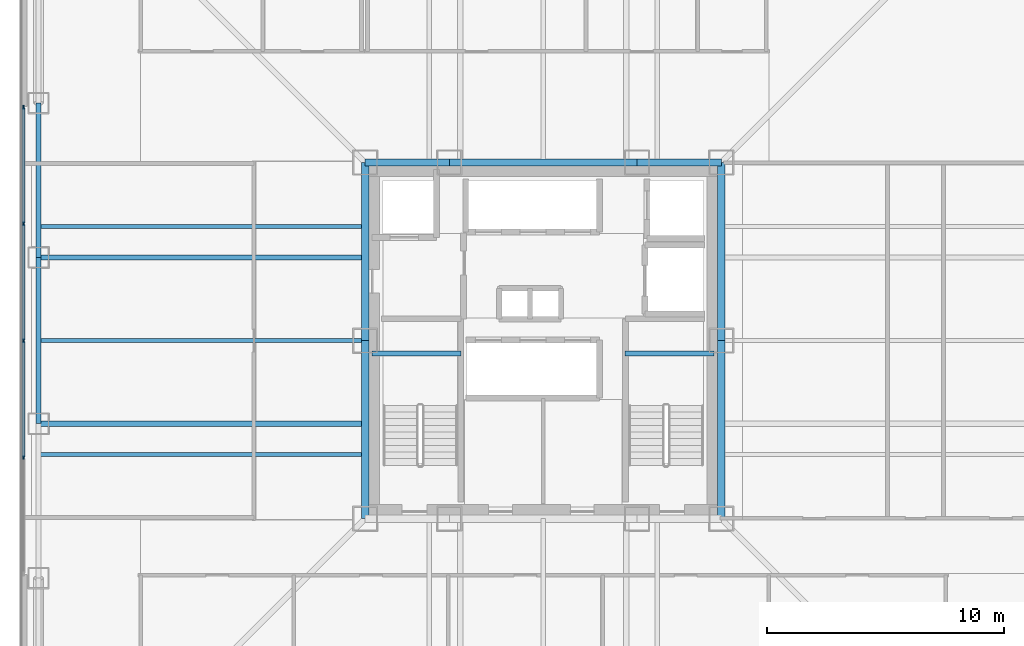
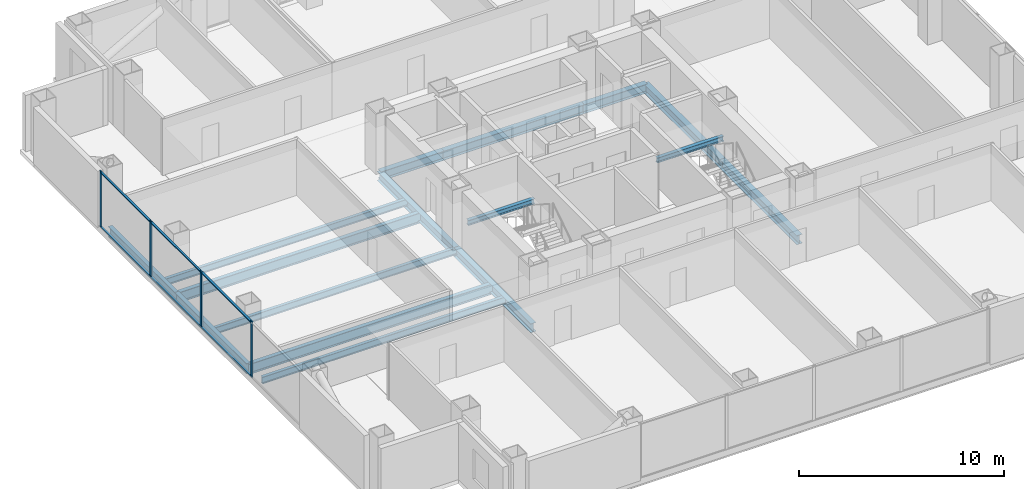
# One storey, part 4 of 13: 16 beams, 10 members, 1 element without a shape of its own.
"""IFC4 building model written with IfcOpenShell, lengths in metres."""

import ifcopenshell
import ifcopenshell.guid

model = None  # the IFC model being written
_history = None  # IfcOwnerHistory: only IFC2X3 demands one
_inside = {}  # id of a spatial element -> (the spatial element, [elements in it])
_under = {}  # id of a project, library or spatial element -> (it, [spatial elements below it])
_declared = {}  # id of a project -> (the project, [libraries it declares])
_typed = {}  # id of a type object -> (the type object, [elements of that type])
_made_of = {}  # id of a material, layer set ... -> (it, [elements and type objects made of it])


def new_model(schema):
    """Start an empty IFC model of exactly this schema.

    Asked for "IFC4X3", IfcOpenShell would pick the latest addendum, in which some entities
    have other attributes; the version numbers below select the first issue.
    IFC2X3 requires an IfcOwnerHistory on every rooted entity: one is made here for all.
    """
    global model, _history
    if schema == "IFC4X3":
        model = ifcopenshell.file(schema_version=(4, 3, 0, 0))
    else:
        model = ifcopenshell.file(schema=schema)
    _inside.clear()
    _under.clear()
    _declared.clear()
    _typed.clear()
    _made_of.clear()
    _history = None
    if model.schema == "IFC2X3":
        org = make("IfcOrganization", Name="unknown")
        user = make(
            "IfcPersonAndOrganization",
            ThePerson=make("IfcPerson", FamilyName="unknown"),
            TheOrganization=org,
        )
        app = make(
            "IfcApplication",
            ApplicationDeveloper=org,
            Version="unknown",
            ApplicationFullName="unknown",
            ApplicationIdentifier="unknown",
        )
        _history = make(
            "IfcOwnerHistory",
            OwningUser=user,
            OwningApplication=app,
            ChangeAction="ADDED",
            CreationDate=0,
        )
    return model


def make(cls, **values):
    """One entity of the class cls with the attributes given. An attribute that is None is left unset."""
    return model.create_entity(
        cls, **{name: value for name, value in values.items() if value is not None}
    )


def rooted(cls, **values):
    """An entity with a GlobalId (a new one), such as an element, a storey or a relation."""
    return make(cls, GlobalId=ifcopenshell.guid.new(), OwnerHistory=_history, **values)


def si_unit(unit_type, name, prefix=None):
    """IfcSIUnit, for example si_unit("LENGTHUNIT", "METRE", prefix="MILLI")."""
    return make("IfcSIUnit", UnitType=unit_type, Prefix=prefix, Name=name)


def assignment(units):
    """IfcUnitAssignment: the units of a project."""
    return None if units is None else make("IfcUnitAssignment", Units=units)


def point(xyz):
    """IfcCartesianPoint."""
    return None if xyz is None else make("IfcCartesianPoint", Coordinates=xyz)


def direction(xyz):
    """IfcDirection."""
    return None if xyz is None else make("IfcDirection", DirectionRatios=xyz)


def frame(location, z_axis=None, x_axis=None):
    """IfcAxis2Placement3D, a coordinate frame: its origin and axes. An axis left out is left unset."""
    return make(
        "IfcAxis2Placement3D",
        Location=point(location),
        Axis=direction(z_axis),
        RefDirection=direction(x_axis),
    )


def frame_2d(location, x_axis=None):
    """IfcAxis2Placement2D, a coordinate frame in the plane: its origin and x axis."""
    return make(
        "IfcAxis2Placement2D", Location=point(location), RefDirection=direction(x_axis)
    )


def origin():
    """The frame at (0, 0, 0) with its axes left unset."""
    return frame((0.0, 0.0, 0.0))


def origin_2d():
    """The frame at (0, 0) in the plane with its x axis left unset."""
    return frame_2d((0.0, 0.0))


def place(relative_to, where):
    """IfcLocalPlacement: puts the frame where relative to a parent placement (None: the world)."""
    return make(
        "IfcLocalPlacement", PlacementRelTo=relative_to, RelativePlacement=where
    )


def context(
    kind, dimensions, precision=None, world=None, true_north=None, identifier=None
):
    """IfcGeometricRepresentationContext, for example the 3D "Model" context."""
    return make(
        "IfcGeometricRepresentationContext",
        ContextIdentifier=identifier,
        ContextType=kind,
        CoordinateSpaceDimension=dimensions,
        Precision=precision,
        WorldCoordinateSystem=world,
        TrueNorth=true_north,
    )


def subcontext(parent, identifier, kind, view, scale=None):
    """IfcGeometricRepresentationSubContext, for example "Body" below "Model"."""
    return make(
        "IfcGeometricRepresentationSubContext",
        ContextIdentifier=identifier,
        ContextType=kind,
        ParentContext=parent,
        TargetScale=scale,
        TargetView=view,
    )


def project(units=None, contexts=None):
    """IfcProject with its units and contexts."""
    return rooted(
        "IfcProject",
        Name="project",
        RepresentationContexts=contexts,
        UnitsInContext=assignment(units),
    )


def spatial(cls, under=None, at=None, **own):
    """A site, building, storey or space (cls), placed at a placement, below another one or the project."""
    s = rooted(cls, ObjectPlacement=at, **own)
    if under is not None:
        _under.setdefault(under.id(), (under, []))[1].append(s)
    return s


def profile(cls, at=None, kind="AREA", **sizes):
    """A parametric profile (cls). Its sizes go by their IFC names, for example OverallWidth=200.0."""
    return make(cls, ProfileType=kind, Position=at, **sizes)


def rectangle(**sizes):
    """IfcRectangleProfileDef."""
    return profile("IfcRectangleProfileDef", **sizes)


def i_section(**sizes):
    """IfcIShapeProfileDef."""
    return profile("IfcIShapeProfileDef", **sizes)


def extrude(swept, where, along, depth):
    """IfcExtrudedAreaSolid: the profile swept, set in the frame where, extruded along a direction by depth."""
    return make(
        "IfcExtrudedAreaSolid",
        SweptArea=swept,
        Position=where,
        ExtrudedDirection=direction(along),
        Depth=depth,
    )


def shape(context_of_items, identifier, shape_type, items):
    """IfcShapeRepresentation: the items that make up one representation, for example the "Body"."""
    return make(
        "IfcShapeRepresentation",
        ContextOfItems=context_of_items,
        RepresentationIdentifier=identifier,
        RepresentationType=shape_type,
        Items=items,
    )


def material(Name=None, Category=None):
    """IfcMaterial."""
    return make("IfcMaterial", Name=Name, Category=Category)


def layer(
    of_material, thickness, ventilated=None, Name=None, Category=None, Priority=None
):
    """IfcMaterialLayer: one layer of a wall or slab, of a material (None: an air gap)."""
    return make(
        "IfcMaterialLayer",
        Material=of_material,
        LayerThickness=thickness,
        IsVentilated=ventilated,
        Name=Name,
        Category=Category,
        Priority=Priority,
    )


def layer_set(layers, Name=None):
    """IfcMaterialLayerSet."""
    return make("IfcMaterialLayerSet", MaterialLayers=layers, LayerSetName=Name)


def material_profile(
    of_material, cross_section, Name=None, Category=None, Priority=None
):
    """IfcMaterialProfile: a cross section and its material."""
    return make(
        "IfcMaterialProfile",
        Name=Name,
        Material=of_material,
        Profile=cross_section,
        Priority=Priority,
        Category=Category,
    )


def profile_set(profiles, Name=None, composite=None):
    """IfcMaterialProfileSet."""
    return make(
        "IfcMaterialProfileSet",
        Name=Name,
        MaterialProfiles=profiles,
        CompositeProfile=composite,
    )


def made_of(thing, what):
    """Note that an element or type object is made of a material, layer set ...; save() writes the relation."""
    if what is not None:
        _made_of.setdefault(what.id(), (what, []))[1].append(thing)
    return thing


def type_object(cls, material=None, **own):
    """A type object (cls), such as IfcWallType, which elements share."""
    return made_of(rooted(cls, **own), material)


def element(
    cls,
    number,
    at=None,
    inside=None,
    cuts=None,
    type_object=None,
    material=None,
    context=None,
    identifier="Body",
    shape_type=None,
    held_by="IfcProductDefinitionShape",
    body=None,
    shapes=None,
    **own,
):
    """One element of the class cls, such as IfcWall. Its Tag is "e" and its number.

    at: its placement. inside: the storey or other place that contains it. cuts: it is an
    opening in that element (IfcRelVoidsElement). A single representation is given by context,
    identifier, shape_type and body (its items); several are given by shapes. held_by: the class
    of the entity that holds the representations. save() writes the other relations.
    """
    e = rooted(cls, Tag="e%d" % number, ObjectPlacement=at, **own)
    if body is not None:
        shapes = [shape(context, identifier, shape_type, body)]
    if shapes is not None:
        e.Representation = make(held_by, Representations=shapes)
    if inside is not None:
        _inside.setdefault(inside.id(), (inside, []))[1].append(e)
    if cuts is not None:
        rooted(
            "IfcRelVoidsElement", RelatingBuildingElement=cuts, RelatedOpeningElement=e
        )
    if type_object is not None:
        _typed.setdefault(type_object.id(), (type_object, []))[1].append(e)
    return made_of(e, material)


def aggregate(whole, parts):
    """IfcRelAggregates: a whole, such as a stair, and the parts it consists of."""
    return rooted("IfcRelAggregates", RelatingObject=whole, RelatedObjects=parts)


def save(model, path):
    """Write the relations noted so far, then the file.

    IfcRelAggregates (storeys below a building ...), IfcRelContainedInSpatialStructure (elements
    in a storey), IfcRelDefinesByType, IfcRelAssociatesMaterial and IfcRelDeclares: one each for
    every whole, place, type object, material and project.
    """
    for whole, parts in _under.values():
        aggregate(whole, parts)
    for where, things in _inside.values():
        rooted(
            "IfcRelContainedInSpatialStructure",
            RelatedElements=things,
            RelatingStructure=where,
        )
    for kind, things in _typed.values():
        rooted("IfcRelDefinesByType", RelatedObjects=things, RelatingType=kind)
    for what, things in _made_of.values():
        rooted("IfcRelAssociatesMaterial", RelatedObjects=things, RelatingMaterial=what)
    for by, libraries in _declared.values():
        rooted("IfcRelDeclares", RelatingContext=by, RelatedDefinitions=libraries)
    model.write(path)


model = new_model("IFC4")

# Units and contexts
model_context = context("Model", 3, precision=1e-05, world=origin(), true_north=direction((0.0, 1.0)))
body_context = subcontext(model_context, "Body", "Model", "MODEL_VIEW")
ifc_project = project(units=[si_unit("LENGTHUNIT", "METRE"), si_unit("AREAUNIT", "SQUARE_METRE"), si_unit("VOLUMEUNIT", "CUBIC_METRE"), si_unit("PLANEANGLEUNIT", "RADIAN"), si_unit("MASSUNIT", "GRAM", prefix="KILO")], contexts=[model_context])

# Site, building, storey
site_placement = place(None, origin())
site = spatial("IfcSite", under=ifc_project, at=site_placement, CompositionType="ELEMENT")
building_placement = place(site_placement, origin())
building = spatial("IfcBuilding", under=site, at=building_placement, Name="Trevonay Congress Spire", CompositionType="ELEMENT")
storey_placement = place(building_placement, frame((0.0, 0.0, 112.0)))
storey = spatial("IfcBuildingStorey", under=building, at=storey_placement, Name="L28", CompositionType="ELEMENT", Elevation=112.0)

# Beams
ifc_material_1 = material(Name="Steel ASTM A572 Grade 50", Category="steel")
ifc_material_profile_1 = material_profile(ifc_material_1, i_section(OverallWidth=0.31201171875, OverallDepth=0.54296875, WebThickness=0.0126953125, FlangeThickness=0.020263671875, FilletRadius=0.014892578125, at=origin_2d()), Name="W530x150")
ifc_profile_set_1 = profile_set([ifc_material_profile_1], Name="Steel ASTM A572 Grade 50")
beam_type_1 = type_object("IfcBeamType", Name="BM-GIRD-W530X150", PredefinedType="BEAM", material=ifc_profile_set_1)
beam_1_placement = place(storey_placement, frame((-7.5, 7.5, -0.511474609375), z_axis=(1.0, 0.0, 0.0), x_axis=(0.0, 1.0, 0.0)))
element("IfcBeam", 1, at=beam_1_placement, inside=storey, type_object=beam_type_1, Name="L28 structural beam BM-L28-CR-N1", PredefinedType="BEAM", context=body_context, shape_type="SweptSolid", body=[
    extrude(i_section(OverallWidth=0.31201171875, OverallDepth=0.54296875, WebThickness=0.0126953125, FlangeThickness=0.020263671875, FilletRadius=0.014892578125, at=origin_2d()), origin(), (0.0, 0.0, 1.0), 3.550048828125),
])
beam_2_placement = place(storey_placement, frame((-3.949951171875, 7.5, -0.511474609375), z_axis=(1.0, 0.0, 0.0), x_axis=(0.0, 1.0, 0.0)))
element("IfcBeam", 2, at=beam_2_placement, inside=storey, type_object=beam_type_1, Name="L28 structural beam BM-L28-CR-N2", PredefinedType="BEAM", context=body_context, shape_type="SweptSolid", body=[
    extrude(i_section(OverallWidth=0.31201171875, OverallDepth=0.54296875, WebThickness=0.0126953125, FlangeThickness=0.020263671875, FilletRadius=0.014892578125, at=origin_2d()), origin(), (0.0, 0.0, 1.0), 7.89990234375),
])
beam_3_placement = place(storey_placement, frame((3.949951171875, 7.5, -0.511474609375), z_axis=(1.0, 0.0, 0.0), x_axis=(0.0, 1.0, 0.0)))
element("IfcBeam", 3, at=beam_3_placement, inside=storey, type_object=beam_type_1, Name="L28 structural beam BM-L28-CR-N3", PredefinedType="BEAM", context=body_context, shape_type="SweptSolid", body=[
    extrude(i_section(OverallWidth=0.31201171875, OverallDepth=0.54296875, WebThickness=0.0126953125, FlangeThickness=0.020263671875, FilletRadius=0.014892578125, at=origin_2d()), origin(), (0.0, 0.0, 1.0), 3.550048828125),
])
for number, where, z_axis, x_axis, name in (
    (4, (-7.5, -7.5, -0.511474609375), (0.0, 1.0, 0.0), (-1.0, 0.0, 0.0), "L28 structural beam BM-L28-CR-W1"),
    (5, (-7.5, 0.0, -0.511474609375), (0.0, 1.0, 0.0), (-1.0, 0.0, 0.0), "L28 structural beam BM-L28-CR-W2"),
    (6, (7.5, -7.5, -0.511474609375), (0.0, 1.0, 0.0), (-1.0, 0.0, 0.0), "L28 structural beam BM-L28-CR-E1"),
    (7, (7.5, 0.0, -0.511474609375), (0.0, 1.0, 0.0), (-1.0, 0.0, 0.0), "L28 structural beam BM-L28-CR-E2"),
):
    element("IfcBeam", number, at=place(storey_placement, frame(where, z_axis=z_axis, x_axis=x_axis)), inside=storey, type_object=beam_type_1, Name=name, PredefinedType="BEAM", context=body_context, shape_type="SweptSolid", body=[
        extrude(i_section(OverallWidth=0.31201171875, OverallDepth=0.54296875, WebThickness=0.0126953125, FlangeThickness=0.020263671875, FilletRadius=0.014892578125, at=origin_2d()), origin(), (0.0, 0.0, 1.0), 7.5),
    ])
ifc_material_profile_2 = material_profile(ifc_material_1, i_section(OverallWidth=0.22998046875, OverallDepth=0.616943359375, WebThickness=0.01318359375, FlangeThickness=0.022216796875, FilletRadius=0.01611328125, at=origin_2d()), Name="W610x140")
ifc_profile_set_2 = profile_set([ifc_material_profile_2], Name="Steel ASTM A572 Grade 50")
beam_type_2 = type_object("IfcBeamType", Name="BM-GIRD-W610X140", PredefinedType="BEAM", material=ifc_profile_set_2)
for number, where, z_axis, x_axis, name in (
    (8, (-7.5, -3.5, -0.548583984375), (-1.0, 0.0, 0.0), (0.0, -1.0, 0.0), "L28 structural beam BM-L28-GW-M"),
    (9, (-7.5, 3.5, -0.548583984375), (-1.0, 0.0, 0.0), (0.0, -1.0, 0.0), "L28 structural beam BM-L28-GW-P"),
):
    element("IfcBeam", number, at=place(storey_placement, frame(where, z_axis=z_axis, x_axis=x_axis)), inside=storey, type_object=beam_type_2, Name=name, PredefinedType="BEAM", context=body_context, shape_type="SweptSolid", body=[
        extrude(i_section(OverallWidth=0.22998046875, OverallDepth=0.616943359375, WebThickness=0.01318359375, FlangeThickness=0.022216796875, FilletRadius=0.01611328125, at=origin_2d()), origin(), (0.0, 0.0, 1.0), 13.75),
    ])
ifc_material_profile_3 = material_profile(ifc_material_1, i_section(OverallWidth=0.22802734375, OverallDepth=0.60791015625, WebThickness=0.01123046875, FlangeThickness=0.017333984375, FilletRadius=0.01611328125, at=origin_2d()), Name="W610x113")
ifc_profile_set_3 = profile_set([ifc_material_profile_3], Name="Steel ASTM A572 Grade 50")
beam_type_3 = type_object("IfcBeamType", Name="BM-RING-W610X113", PredefinedType="BEAM", material=ifc_profile_set_3)
beam_4_placement = place(storey_placement, frame((-21.25, -3.5, -0.5439453125), z_axis=(0.0, 1.0, 0.0), x_axis=(-1.0, 0.0, 0.0)))
element("IfcBeam", 10, at=beam_4_placement, inside=storey, type_object=beam_type_3, Name="L28 structural beam BM-L28-PW3", PredefinedType="BEAM", context=body_context, shape_type="SweptSolid", body=[
    extrude(i_section(OverallWidth=0.22802734375, OverallDepth=0.60791015625, WebThickness=0.01123046875, FlangeThickness=0.017333984375, FilletRadius=0.01611328125, at=origin_2d()), origin(), (0.0, 0.0, 1.0), 7.0),
])
beam_5_placement = place(storey_placement, frame((-21.25, 3.5, -0.5439453125), z_axis=(0.0, 1.0, 0.0), x_axis=(-1.0, 0.0, 0.0)))
element("IfcBeam", 11, at=beam_5_placement, inside=storey, type_object=beam_type_3, Name="L28 structural beam BM-L28-PW4", PredefinedType="BEAM", context=body_context, shape_type="SweptSolid", body=[
    extrude(i_section(OverallWidth=0.22802734375, OverallDepth=0.60791015625, WebThickness=0.01123046875, FlangeThickness=0.017333984375, FilletRadius=0.01611328125, at=origin_2d()), origin(), (0.0, 0.0, 1.0), 6.5),
])

# Curtain wall, members
ifc_material_2 = material(Name="Pale Anodised Aluminium EN AW-6063-T6", Category="aluminium")
ifc_layer = layer(ifc_material_2, 0.175048828125, Name="Pale Anodised Aluminium EN AW-6063-T6")
ifc_layer_set = layer_set([ifc_layer], Name="Pale Anodised Aluminium EN AW-6063-T6")
curtain_wall_type = type_object("IfcCurtainWallType", Name="CW-SYS03-CONGRESS-PALE-METAL", PredefinedType="NOTDEFINED", material=ifc_layer_set)
curtain_wall_placement = place(storey_placement, origin())
curtain_wall = element("IfcCurtainWall", 12, at=curtain_wall_placement, inside=storey, type_object=curtain_wall_type, Name="L28 W unitised curtain wall", PredefinedType="NOTDEFINED")
ifc_material_profile_4 = material_profile(ifc_material_2, rectangle(XDim=0.06005859375, YDim=0.159912109375, at=origin_2d()), Name="CW-MULLION-160-ALUMINIUM")
ifc_profile_set_4 = profile_set([ifc_material_profile_4], Name="Pale Anodised Aluminium EN AW-6063-T6")
member_type_1 = type_object("IfcMemberType", Name="CW-MULLION-160-ALUMINIUM", PredefinedType="MULLION", material=ifc_profile_set_4)
member_1_placement = place(storey_placement, frame((-21.8798828125, -4.925048828125, 0.0), z_axis=(0.0, 0.0, 1.0), x_axis=(-1.0, 0.0, 0.0)))
member_1 = element("IfcMember", 13, at=member_1_placement, type_object=member_type_1, Name="CW03 mullion 2", PredefinedType="MULLION", context=body_context, shape_type="SweptSolid", body=[
    extrude(rectangle(XDim=0.06005859375, YDim=0.159912109375, at=origin_2d()), origin(), (0.0, 0.0, 1.0), 3.360107421875),
])
member_2_placement = place(storey_placement, frame((-21.8798828125, 0.0, 0.0), z_axis=(0.0, 0.0, 1.0), x_axis=(-1.0, 0.0, 0.0)))
member_2 = element("IfcMember", 14, at=member_2_placement, type_object=member_type_1, Name="CW03 mullion 3", PredefinedType="MULLION", context=body_context, shape_type="SweptSolid", body=[
    extrude(rectangle(XDim=0.06005859375, YDim=0.159912109375, at=origin_2d()), origin(), (0.0, 0.0, 1.0), 3.360107421875),
])
member_3_placement = place(storey_placement, frame((-21.8798828125, 4.925048828125, 0.0), z_axis=(0.0, 0.0, 1.0), x_axis=(-1.0, 0.0, 0.0)))
member_3 = element("IfcMember", 15, at=member_3_placement, type_object=member_type_1, Name="CW03 mullion 4", PredefinedType="MULLION", context=body_context, shape_type="SweptSolid", body=[
    extrude(rectangle(XDim=0.06005859375, YDim=0.159912109375, at=origin_2d()), origin(), (0.0, 0.0, 1.0), 3.360107421875),
])
member_4_placement = place(storey_placement, frame((-21.8798828125, 9.820068359375, 0.0), z_axis=(0.0, 0.0, 1.0), x_axis=(-1.0, 0.0, 0.0)))
member_4 = element("IfcMember", 16, at=member_4_placement, type_object=member_type_1, Name="CW03 mullion 5", PredefinedType="MULLION", context=body_context, shape_type="SweptSolid", body=[
    extrude(rectangle(XDim=0.06005859375, YDim=0.159912109375, at=origin_2d()), origin(), (0.0, 0.0, 1.0), 3.360107421875),
])
ifc_material_profile_5 = material_profile(ifc_material_2, rectangle(XDim=0.1201171875, YDim=0.06005859375, at=origin_2d()), Name="CW-TRANSOM-120-ALUMINIUM")
ifc_profile_set_5 = profile_set([ifc_material_profile_5], Name="Pale Anodised Aluminium EN AW-6063-T6")
member_type_2 = type_object("IfcMemberType", Name="CW-TRANSOM-120-ALUMINIUM", PredefinedType="USERDEFINED", material=ifc_profile_set_5)
member_5_placement = place(storey_placement, frame((-21.8798828125, -4.89501953125, 0.06005859375), z_axis=(0.0, 1.0, 0.0), x_axis=(-1.0, 0.0, 0.0)))
member_5 = element("IfcMember", 17, at=member_5_placement, type_object=member_type_2, Name="CW03 transom 2.1", ObjectType="TRANSOM", PredefinedType="USERDEFINED", context=body_context, shape_type="SweptSolid", body=[
    extrude(rectangle(XDim=0.1201171875, YDim=0.06005859375, at=origin_2d()), origin(), (0.0, 0.0, 1.0), 4.864990234375),
])
member_6_placement = place(storey_placement, frame((-21.8798828125, -4.89501953125, 3.300048828125), z_axis=(0.0, 1.0, 0.0), x_axis=(-1.0, 0.0, 0.0)))
member_6 = element("IfcMember", 18, at=member_6_placement, type_object=member_type_2, Name="CW03 transom 2.2", ObjectType="TRANSOM", PredefinedType="USERDEFINED", context=body_context, shape_type="SweptSolid", body=[
    extrude(rectangle(XDim=0.1201171875, YDim=0.06005859375, at=origin_2d()), origin(), (0.0, 0.0, 1.0), 4.864990234375),
])
member_7_placement = place(storey_placement, frame((-21.8798828125, 0.030029296875, 0.06005859375), z_axis=(0.0, 1.0, 0.0), x_axis=(-1.0, 0.0, 0.0)))
member_7 = element("IfcMember", 19, at=member_7_placement, type_object=member_type_2, Name="CW03 transom 3.1", ObjectType="TRANSOM", PredefinedType="USERDEFINED", context=body_context, shape_type="SweptSolid", body=[
    extrude(rectangle(XDim=0.1201171875, YDim=0.06005859375, at=origin_2d()), origin(), (0.0, 0.0, 1.0), 4.864990234375),
])
member_8_placement = place(storey_placement, frame((-21.8798828125, 0.030029296875, 3.300048828125), z_axis=(0.0, 1.0, 0.0), x_axis=(-1.0, 0.0, 0.0)))
member_8 = element("IfcMember", 20, at=member_8_placement, type_object=member_type_2, Name="CW03 transom 3.2", ObjectType="TRANSOM", PredefinedType="USERDEFINED", context=body_context, shape_type="SweptSolid", body=[
    extrude(rectangle(XDim=0.1201171875, YDim=0.06005859375, at=origin_2d()), origin(), (0.0, 0.0, 1.0), 4.864990234375),
])
member_9_placement = place(storey_placement, frame((-21.8798828125, 4.955078125, 0.06005859375), z_axis=(0.0, 1.0, 0.0), x_axis=(-1.0, 0.0, 0.0)))
member_9 = element("IfcMember", 21, at=member_9_placement, type_object=member_type_2, Name="CW03 transom 4.1", ObjectType="TRANSOM", PredefinedType="USERDEFINED", context=body_context, shape_type="SweptSolid", body=[
    extrude(rectangle(XDim=0.1201171875, YDim=0.06005859375, at=origin_2d()), origin(), (0.0, 0.0, 1.0), 4.8349609375),
])
member_10_placement = place(storey_placement, frame((-21.8798828125, 4.955078125, 3.300048828125), z_axis=(0.0, 1.0, 0.0), x_axis=(-1.0, 0.0, 0.0)))
member_10 = element("IfcMember", 22, at=member_10_placement, type_object=member_type_2, Name="CW03 transom 4.2", ObjectType="TRANSOM", PredefinedType="USERDEFINED", context=body_context, shape_type="SweptSolid", body=[
    extrude(rectangle(XDim=0.1201171875, YDim=0.06005859375, at=origin_2d()), origin(), (0.0, 0.0, 1.0), 4.8349609375),
])
aggregate(curtain_wall, [member_1, member_2, member_3, member_4, member_5, member_6, member_7, member_8, member_9, member_10])

# Beams
ifc_material_profile_6 = material_profile(ifc_material_1, i_section(OverallWidth=0.177978515625, OverallDepth=0.406982421875, WebThickness=0.0078125, FlangeThickness=0.0126953125, FilletRadius=0.012939453125, at=origin_2d()), Name="W410x60")
ifc_profile_set_6 = profile_set([ifc_material_profile_6], Name="Steel ASTM A572 Grade 50")
beam_type_4 = type_object("IfcBeamType", Name="JS-COMP-W410X60", PredefinedType="JOIST", material=ifc_profile_set_6)
for number, where, z_axis, x_axis, name in (
    (23, (-21.25, -4.800048828125, -0.443603515625), (1.0, 0.0, 0.0), (0.0, 1.0, 0.0), "L28 structural beam JS-L28-EW-W1"),
    (24, (-21.25, 0.0, -0.443603515625), (1.0, 0.0, 0.0), (0.0, 1.0, 0.0), "L28 structural beam JS-L28-EW-W2"),
    (25, (-21.25, 4.800048828125, -0.443603515625), (1.0, 0.0, 0.0), (0.0, 1.0, 0.0), "L28 structural beam JS-L28-EW-W3"),
):
    element("IfcBeam", number, at=place(storey_placement, frame(where, z_axis=z_axis, x_axis=x_axis)), inside=storey, type_object=beam_type_4, Name=name, PredefinedType="JOIST", context=body_context, shape_type="SweptSolid", body=[
        extrude(i_section(OverallWidth=0.177978515625, OverallDepth=0.406982421875, WebThickness=0.0078125, FlangeThickness=0.0126953125, FilletRadius=0.012939453125, at=origin_2d()), origin(), (0.0, 0.0, 1.0), 13.75),
    ])
ifc_material_profile_7 = material_profile(ifc_material_1, i_section(OverallWidth=0.2041015625, OverallDepth=0.305908203125, WebThickness=0.008544921875, FlangeThickness=0.0146484375, FilletRadius=0.010986328125, at=origin_2d()), Name="W310x67")
ifc_profile_set_7 = profile_set([ifc_material_profile_7], Name="Steel ASTM A572 Grade 50")
beam_type_5 = type_object("IfcBeamType", Name="LN-CORE-W310X67", PredefinedType="LINTEL", material=ifc_profile_set_7)
for number, where, z_axis, x_axis, name in (
    (26, (-7.199951171875, -0.550048828125, 1.447021484375), (1.0, 0.0, 0.0), (0.0, 1.0, 0.0), "L28 structural beam BM-L28-HL-ST1"),
    (27, (3.449951171875, -0.550048828125, 1.447021484375), (1.0, 0.0, 0.0), (0.0, 1.0, 0.0), "L28 structural beam BM-L28-HL-ST2"),
):
    element("IfcBeam", number, at=place(storey_placement, frame(where, z_axis=z_axis, x_axis=x_axis)), inside=storey, type_object=beam_type_5, Name=name, PredefinedType="LINTEL", context=body_context, shape_type="SweptSolid", body=[
        extrude(i_section(OverallWidth=0.2041015625, OverallDepth=0.305908203125, WebThickness=0.008544921875, FlangeThickness=0.0146484375, FilletRadius=0.010986328125, at=origin_2d()), origin(), (0.0, 0.0, 1.0), 3.75),
    ])

save(model, "model.ifc")
